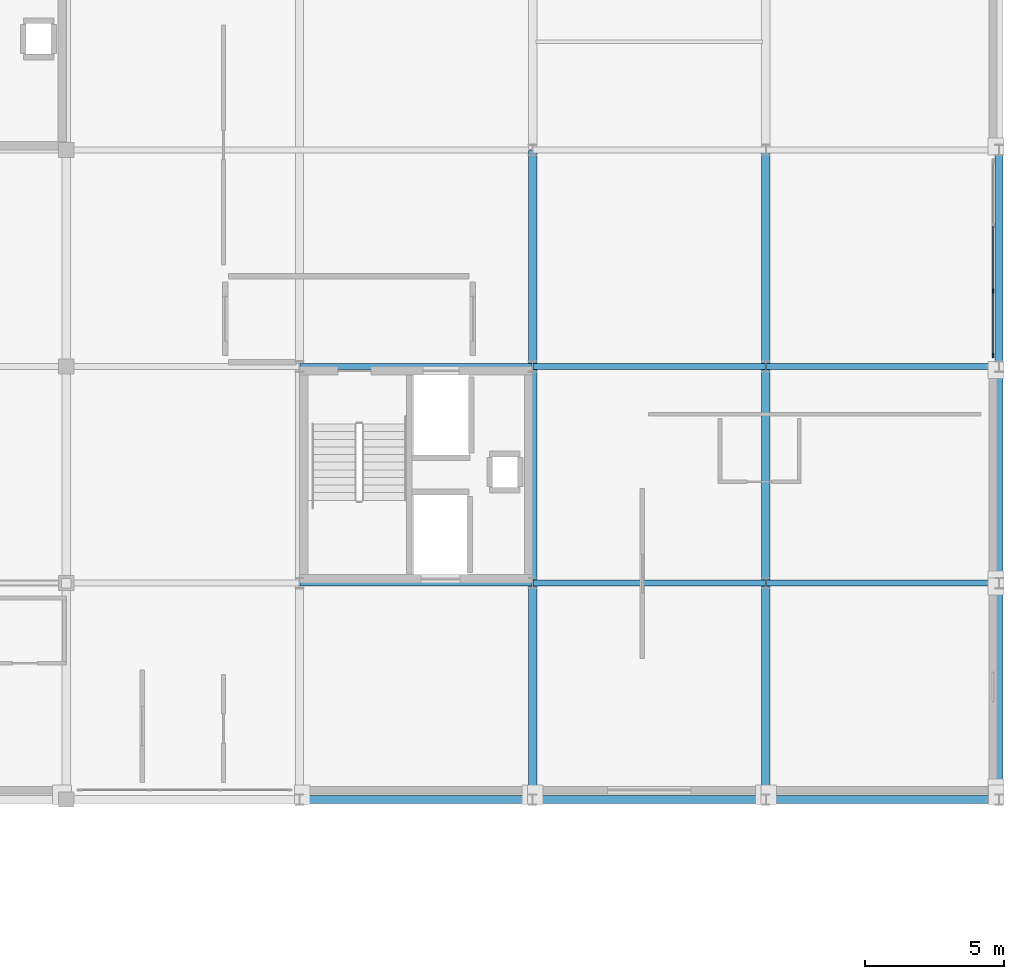
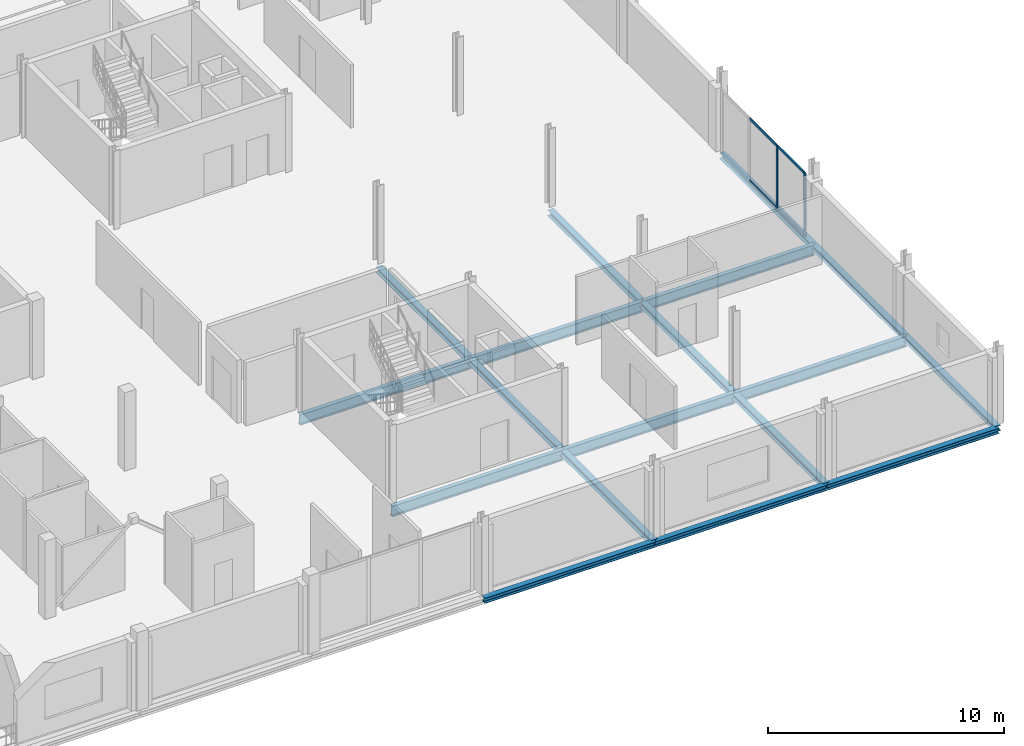
# One storey, part 5 of 20: 18 beams, 6 members, 1 element without a shape of its own.
"""IFC4 building model written with IfcOpenShell, lengths in metres."""

from ifc_helpers import new_model, si_unit, direction, frame, origin, origin_2d, place, context, subcontext, project, spatial, rectangle, i_section, extrude, material, material_profile, profile_set, type_object, element, aggregate, save


model = new_model("IFC4")

# Units and contexts
model_context = context("Model", 3, precision=1e-05, world=origin(), true_north=direction((0.0, 1.0)))
body_context = subcontext(model_context, "Body", "Model", "MODEL_VIEW")
ifc_project = project(units=[si_unit("LENGTHUNIT", "METRE"), si_unit("AREAUNIT", "SQUARE_METRE"), si_unit("VOLUMEUNIT", "CUBIC_METRE"), si_unit("PLANEANGLEUNIT", "RADIAN"), si_unit("MASSUNIT", "GRAM", prefix="KILO")], contexts=[model_context])

# Site, building, storey
site_placement = place(None, origin())
site = spatial("IfcSite", under=ifc_project, at=site_placement, CompositionType="ELEMENT")
building_placement = place(site_placement, origin())
building = spatial("IfcBuilding", under=site, at=building_placement, Name="Nabrawat Pavilion Hospital", CompositionType="ELEMENT")
storey_placement = place(building_placement, frame((0.0, 0.0, 27.0)))
storey = spatial("IfcBuildingStorey", under=building, at=storey_placement, Name="L06", CompositionType="ELEMENT", Elevation=27.0)

# Curtain wall, members
ifc_material_1 = material(Name="Anodised Aluminium", Category="aluminium")
curtain_wall_type = type_object("IfcCurtainWallType", Name="Inpatient Dayroom Bay Curtain Wall", PredefinedType="USERDEFINED", material=ifc_material_1)
curtain_wall_placement = place(storey_placement, origin())
curtain_wall = element("IfcCurtainWall", 1, at=curtain_wall_placement, inside=storey, type_object=curtain_wall_type, Name="L06 Inpatient Dayroom Bay Curtain Wall 154", ObjectType="CURTAIN WALL", PredefinedType="USERDEFINED")
ifc_material_profile_1 = material_profile(ifc_material_1, rectangle(XDim=0.06005859375, YDim=0.159912109375, at=origin_2d()), Name="CWM 60x160")
ifc_profile_set_1 = profile_set([ifc_material_profile_1], Name="Anodised Aluminium")
member_type_1 = type_object("IfcMemberType", Name="Inpatient Dayroom Bay Curtain Wall Mullion CWM 60x160", PredefinedType="MULLION", material=ifc_profile_set_1)
member_1_placement = place(storey_placement, frame((192.97998046875, 55.0, 0.0), z_axis=(0.0, 0.0, 1.0), x_axis=(-1.0, 0.0, 0.0)))
member_1 = element("IfcMember", 2, at=member_1_placement, type_object=member_type_1, Name="CW-WRD-01 mullion 1", PredefinedType="MULLION", context=body_context, shape_type="SweptSolid", body=[
    extrude(rectangle(XDim=0.06005859375, YDim=0.159912109375, at=origin_2d()), origin(), (0.0, 0.0, 1.0), 3.260009765625),
])
member_2_placement = place(storey_placement, frame((192.97998046875, 57.3232421875, 0.0), z_axis=(0.0, 0.0, 1.0), x_axis=(-1.0, 0.0, 0.0)))
member_2 = element("IfcMember", 3, at=member_2_placement, type_object=member_type_1, Name="CW-WRD-01 mullion 2", PredefinedType="MULLION", context=body_context, shape_type="SweptSolid", body=[
    extrude(rectangle(XDim=0.06005859375, YDim=0.159912109375, at=origin_2d()), origin(), (0.0, 0.0, 1.0), 3.260009765625),
])
ifc_material_profile_2 = material_profile(ifc_material_1, rectangle(XDim=0.06005859375, YDim=0.1201171875, at=origin_2d()), Name="CWT 60x120")
ifc_profile_set_2 = profile_set([ifc_material_profile_2], Name="Anodised Aluminium")
member_type_2 = type_object("IfcMemberType", Name="Inpatient Dayroom Bay Curtain Wall Transom CWT 60x120", PredefinedType="USERDEFINED", material=ifc_profile_set_2)
member_3_placement = place(storey_placement, frame((192.97998046875, 55.030029296875, 0.030029296875), z_axis=(0.0, 1.0, 0.0), x_axis=(-1.0, 0.0, 0.0)))
member_3 = element("IfcMember", 4, at=member_3_placement, type_object=member_type_2, Name="CW-WRD-01 transom 1.1", ObjectType="TRANSOM", PredefinedType="USERDEFINED", context=body_context, shape_type="SweptSolid", body=[
    extrude(rectangle(XDim=0.06005859375, YDim=0.1201171875, at=origin_2d()), origin(), (0.0, 0.0, 1.0), 2.26318359375),
])
member_4_placement = place(storey_placement, frame((192.97998046875, 55.030029296875, 3.22998046875), z_axis=(0.0, 1.0, 0.0), x_axis=(-1.0, 0.0, 0.0)))
member_4 = element("IfcMember", 5, at=member_4_placement, type_object=member_type_2, Name="CW-WRD-01 transom 1.2", ObjectType="TRANSOM", PredefinedType="USERDEFINED", context=body_context, shape_type="SweptSolid", body=[
    extrude(rectangle(XDim=0.06005859375, YDim=0.1201171875, at=origin_2d()), origin(), (0.0, 0.0, 1.0), 2.26318359375),
])
member_5_placement = place(storey_placement, frame((192.97998046875, 57.353271484375, 0.030029296875), z_axis=(0.0, 1.0, 0.0), x_axis=(-1.0, 0.0, 0.0)))
member_5 = element("IfcMember", 6, at=member_5_placement, type_object=member_type_2, Name="CW-WRD-01 transom 2.1", ObjectType="TRANSOM", PredefinedType="USERDEFINED", context=body_context, shape_type="SweptSolid", body=[
    extrude(rectangle(XDim=0.06005859375, YDim=0.1201171875, at=origin_2d()), origin(), (0.0, 0.0, 1.0), 2.29345703125),
])
member_6_placement = place(storey_placement, frame((192.97998046875, 57.353271484375, 3.22998046875), z_axis=(0.0, 1.0, 0.0), x_axis=(-1.0, 0.0, 0.0)))
member_6 = element("IfcMember", 7, at=member_6_placement, type_object=member_type_2, Name="CW-WRD-01 transom 2.2", ObjectType="TRANSOM", PredefinedType="USERDEFINED", context=body_context, shape_type="SweptSolid", body=[
    extrude(rectangle(XDim=0.06005859375, YDim=0.1201171875, at=origin_2d()), origin(), (0.0, 0.0, 1.0), 2.29345703125),
])
aggregate(curtain_wall, [member_1, member_2, member_3, member_4, member_5, member_6])

# Beams
ifc_material_2 = material(Name="Steel S355", Category="steel")
ifc_material_profile_3 = material_profile(ifc_material_2, i_section(OverallWidth=0.2099609375, OverallDepth=0.550048828125, WebThickness=0.010986328125, FlangeThickness=0.01708984375, FilletRadius=0.02392578125, at=origin_2d()), Name="IPE 550")
ifc_profile_set_3 = profile_set([ifc_material_profile_3], Name="Steel S355")
beam_type_1 = type_object("IfcBeamType", Name="Long-Span Floor Girder IPE 550", PredefinedType="USERDEFINED", material=ifc_profile_set_3)
beam_1_placement = place(storey_placement, frame((168.02001953125, 46.800048828125, -0.5048828125), z_axis=(1.0, 0.0, 0.0), x_axis=(0.0, 1.0, 0.0)))
element("IfcBeam", 8, at=beam_1_placement, inside=storey, type_object=beam_type_1, Name="L06 Primary X Girder 2127", ObjectType="GIRDER", PredefinedType="USERDEFINED", context=body_context, shape_type="SweptSolid", body=[
    extrude(i_section(OverallWidth=0.2099609375, OverallDepth=0.550048828125, WebThickness=0.010986328125, FlangeThickness=0.01708984375, FilletRadius=0.02392578125, at=origin_2d()), origin(), (0.0, 0.0, 1.0), 8.35986328125),
])
beam_2_placement = place(storey_placement, frame((176.419921875, 46.800048828125, -0.5048828125), z_axis=(1.0, 0.0, 0.0), x_axis=(0.0, 1.0, 0.0)))
element("IfcBeam", 9, at=beam_2_placement, inside=storey, type_object=beam_type_1, Name="L06 Primary X Girder 2128", ObjectType="GIRDER", PredefinedType="USERDEFINED", context=body_context, shape_type="SweptSolid", body=[
    extrude(i_section(OverallWidth=0.2099609375, OverallDepth=0.550048828125, WebThickness=0.010986328125, FlangeThickness=0.01708984375, FilletRadius=0.02392578125, at=origin_2d()), origin(), (0.0, 0.0, 1.0), 8.360107421875),
])
for number, where, z_axis, x_axis, name in (
    (10, (184.820068359375, 46.800048828125, -0.5048828125), (1.0, 0.0, 0.0), (0.0, 1.0, 0.0), "L06 Primary X Girder 2129"),
    (11, (168.02001953125, 54.60009765625, -0.5048828125), (1.0, 0.0, 0.0), (0.0, 1.0, 0.0), "L06 Primary X Girder 2133"),
):
    element("IfcBeam", number, at=place(storey_placement, frame(where, z_axis=z_axis, x_axis=x_axis)), inside=storey, type_object=beam_type_1, Name=name, ObjectType="GIRDER", PredefinedType="USERDEFINED", context=body_context, shape_type="SweptSolid", body=[
        extrude(i_section(OverallWidth=0.2099609375, OverallDepth=0.550048828125, WebThickness=0.010986328125, FlangeThickness=0.01708984375, FilletRadius=0.02392578125, at=origin_2d()), origin(), (0.0, 0.0, 1.0), 8.35986328125),
    ])
beam_3_placement = place(storey_placement, frame((176.419921875, 54.60009765625, -0.5048828125), z_axis=(1.0, 0.0, 0.0), x_axis=(0.0, 1.0, 0.0)))
element("IfcBeam", 12, at=beam_3_placement, inside=storey, type_object=beam_type_1, Name="L06 Primary X Girder 2134", ObjectType="GIRDER", PredefinedType="USERDEFINED", context=body_context, shape_type="SweptSolid", body=[
    extrude(i_section(OverallWidth=0.2099609375, OverallDepth=0.550048828125, WebThickness=0.010986328125, FlangeThickness=0.01708984375, FilletRadius=0.02392578125, at=origin_2d()), origin(), (0.0, 0.0, 1.0), 8.360107421875),
])
beam_4_placement = place(storey_placement, frame((184.820068359375, 54.60009765625, -0.5048828125), z_axis=(1.0, 0.0, 0.0), x_axis=(0.0, 1.0, 0.0)))
element("IfcBeam", 13, at=beam_4_placement, inside=storey, type_object=beam_type_1, Name="L06 Primary X Girder 2135", ObjectType="GIRDER", PredefinedType="USERDEFINED", context=body_context, shape_type="SweptSolid", body=[
    extrude(i_section(OverallWidth=0.2099609375, OverallDepth=0.550048828125, WebThickness=0.010986328125, FlangeThickness=0.01708984375, FilletRadius=0.02392578125, at=origin_2d()), origin(), (0.0, 0.0, 1.0), 8.35986328125),
])
ifc_material_profile_4 = material_profile(ifc_material_2, i_section(OverallWidth=0.280029296875, OverallDepth=0.280029296875, WebThickness=0.010498046875, FlangeThickness=0.01806640625, FilletRadius=0.02392578125, at=origin_2d()), Name="HEB 280")
ifc_profile_set_4 = profile_set([ifc_material_profile_4], Name="Steel S355")
beam_type_2 = type_object("IfcBeamType", Name="Upper Terrace Edge Spandrel HEB 280", PredefinedType="SPANDREL", material=ifc_profile_set_4)
beam_5_placement = place(storey_placement, frame((168.02001953125, 39.0, -0.3701171875), z_axis=(1.0, 0.0, 0.0), x_axis=(0.0, 1.0, 0.0)))
element("IfcBeam", 14, at=beam_5_placement, inside=storey, type_object=beam_type_2, Name="L06 Primary X Girder 2121", PredefinedType="SPANDREL", context=body_context, shape_type="SweptSolid", body=[
    extrude(i_section(OverallWidth=0.280029296875, OverallDepth=0.280029296875, WebThickness=0.010498046875, FlangeThickness=0.01806640625, FilletRadius=0.02392578125, at=origin_2d()), origin(), (0.0, 0.0, 1.0), 8.35986328125),
])
beam_6_placement = place(storey_placement, frame((176.419921875, 39.0, -0.3701171875), z_axis=(1.0, 0.0, 0.0), x_axis=(0.0, 1.0, 0.0)))
element("IfcBeam", 15, at=beam_6_placement, inside=storey, type_object=beam_type_2, Name="L06 Primary X Girder 2122", PredefinedType="SPANDREL", context=body_context, shape_type="SweptSolid", body=[
    extrude(i_section(OverallWidth=0.280029296875, OverallDepth=0.280029296875, WebThickness=0.010498046875, FlangeThickness=0.01806640625, FilletRadius=0.02392578125, at=origin_2d()), origin(), (0.0, 0.0, 1.0), 8.360107421875),
])
beam_7_placement = place(storey_placement, frame((184.820068359375, 39.0, -0.3701171875), z_axis=(1.0, 0.0, 0.0), x_axis=(0.0, 1.0, 0.0)))
element("IfcBeam", 16, at=beam_7_placement, inside=storey, type_object=beam_type_2, Name="L06 Primary X Girder 2123", PredefinedType="SPANDREL", context=body_context, shape_type="SweptSolid", body=[
    extrude(i_section(OverallWidth=0.280029296875, OverallDepth=0.280029296875, WebThickness=0.010498046875, FlangeThickness=0.01806640625, FilletRadius=0.02392578125, at=origin_2d()), origin(), (0.0, 0.0, 1.0), 8.35986328125),
])
for number, where, z_axis, x_axis, name in (
    (17, (193.199951171875, 39.02001953125, -0.3701171875), (0.0, 1.0, 0.0), (-1.0, 0.0, 0.0), "L06 Primary Y Beam 2228"),
    (18, (193.199951171875, 46.820068359375, -0.3701171875), (0.0, 1.0, 0.0), (-1.0, 0.0, 0.0), "L06 Primary Y Beam 2229"),
):
    element("IfcBeam", number, at=place(storey_placement, frame(where, z_axis=z_axis, x_axis=x_axis)), inside=storey, type_object=beam_type_2, Name=name, PredefinedType="SPANDREL", context=body_context, shape_type="SweptSolid", body=[
        extrude(i_section(OverallWidth=0.280029296875, OverallDepth=0.280029296875, WebThickness=0.010498046875, FlangeThickness=0.01806640625, FilletRadius=0.02392578125, at=origin_2d()), origin(), (0.0, 0.0, 1.0), 7.760009765625),
    ])
beam_8_placement = place(storey_placement, frame((193.199951171875, 54.6201171875, -0.3701171875), z_axis=(0.0, 1.0, 0.0), x_axis=(-1.0, 0.0, 0.0)))
element("IfcBeam", 19, at=beam_8_placement, inside=storey, type_object=beam_type_2, Name="L06 Primary Y Beam 2230", PredefinedType="SPANDREL", context=body_context, shape_type="SweptSolid", body=[
    extrude(i_section(OverallWidth=0.280029296875, OverallDepth=0.280029296875, WebThickness=0.010498046875, FlangeThickness=0.01806640625, FilletRadius=0.02392578125, at=origin_2d()), origin(), (0.0, 0.0, 1.0), 7.759765625),
])
ifc_material_profile_5 = material_profile(ifc_material_2, i_section(OverallWidth=0.300048828125, OverallDepth=0.2900390625, WebThickness=0.008544921875, FlangeThickness=0.013916015625, FilletRadius=0.027099609375, at=origin_2d()), Name="HEA 300")
ifc_profile_set_5 = profile_set([ifc_material_profile_5], Name="Steel S355")
beam_type_3 = type_object("IfcBeamType", Name="Upper Ward Spine Beam HEA 300", PredefinedType="BEAM", material=ifc_profile_set_5)
for number, where, z_axis, x_axis, name in (
    (20, (176.39990234375, 39.02001953125, -0.375), (0.0, 1.0, 0.0), (-1.0, 0.0, 0.0), "L06 Primary Y Beam 2212"),
    (21, (176.39990234375, 46.820068359375, -0.375), (0.0, 1.0, 0.0), (-1.0, 0.0, 0.0), "L06 Primary Y Beam 2213"),
):
    element("IfcBeam", number, at=place(storey_placement, frame(where, z_axis=z_axis, x_axis=x_axis)), inside=storey, type_object=beam_type_3, Name=name, PredefinedType="BEAM", context=body_context, shape_type="SweptSolid", body=[
        extrude(i_section(OverallWidth=0.300048828125, OverallDepth=0.2900390625, WebThickness=0.008544921875, FlangeThickness=0.013916015625, FilletRadius=0.027099609375, at=origin_2d()), origin(), (0.0, 0.0, 1.0), 7.760009765625),
    ])
beam_9_placement = place(storey_placement, frame((176.39990234375, 54.6201171875, -0.375), z_axis=(0.0, 1.0, 0.0), x_axis=(-1.0, 0.0, 0.0)))
element("IfcBeam", 22, at=beam_9_placement, inside=storey, type_object=beam_type_3, Name="L06 Primary Y Beam 2214", PredefinedType="BEAM", context=body_context, shape_type="SweptSolid", body=[
    extrude(i_section(OverallWidth=0.300048828125, OverallDepth=0.2900390625, WebThickness=0.008544921875, FlangeThickness=0.013916015625, FilletRadius=0.027099609375, at=origin_2d()), origin(), (0.0, 0.0, 1.0), 7.759765625),
])
for number, where, z_axis, x_axis, name in (
    (23, (184.800048828125, 39.02001953125, -0.375), (0.0, 1.0, 0.0), (-1.0, 0.0, 0.0), "L06 Primary Y Beam 2222"),
    (24, (184.800048828125, 46.820068359375, -0.375), (0.0, 1.0, 0.0), (-1.0, 0.0, 0.0), "L06 Primary Y Beam 2223"),
):
    element("IfcBeam", number, at=place(storey_placement, frame(where, z_axis=z_axis, x_axis=x_axis)), inside=storey, type_object=beam_type_3, Name=name, PredefinedType="BEAM", context=body_context, shape_type="SweptSolid", body=[
        extrude(i_section(OverallWidth=0.300048828125, OverallDepth=0.2900390625, WebThickness=0.008544921875, FlangeThickness=0.013916015625, FilletRadius=0.027099609375, at=origin_2d()), origin(), (0.0, 0.0, 1.0), 7.760009765625),
    ])
beam_10_placement = place(storey_placement, frame((184.800048828125, 54.6201171875, -0.375), z_axis=(0.0, 1.0, 0.0), x_axis=(-1.0, 0.0, 0.0)))
element("IfcBeam", 25, at=beam_10_placement, inside=storey, type_object=beam_type_3, Name="L06 Primary Y Beam 2224", PredefinedType="BEAM", context=body_context, shape_type="SweptSolid", body=[
    extrude(i_section(OverallWidth=0.300048828125, OverallDepth=0.2900390625, WebThickness=0.008544921875, FlangeThickness=0.013916015625, FilletRadius=0.027099609375, at=origin_2d()), origin(), (0.0, 0.0, 1.0), 7.759765625),
])

save(model, "model.ifc")
